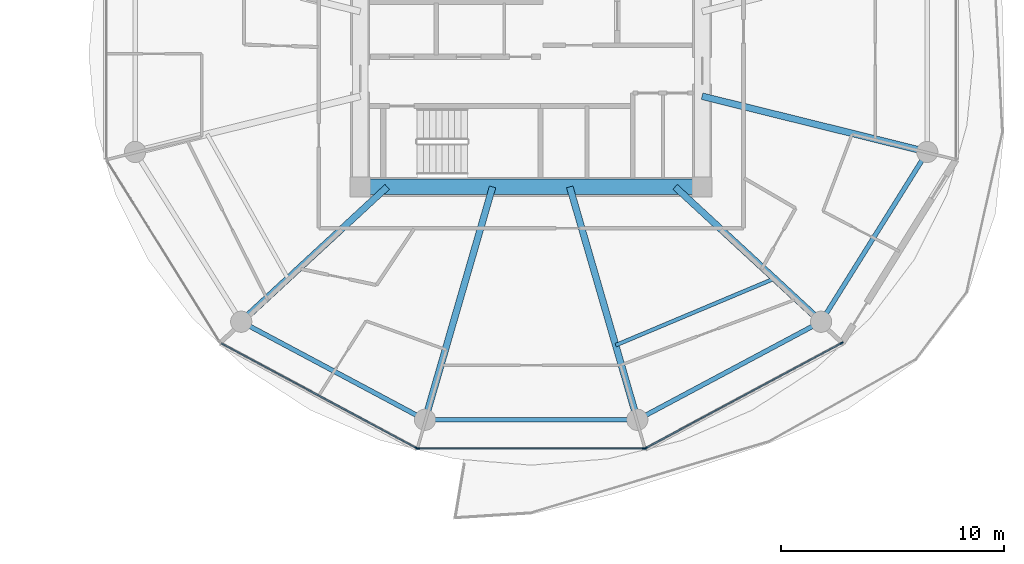
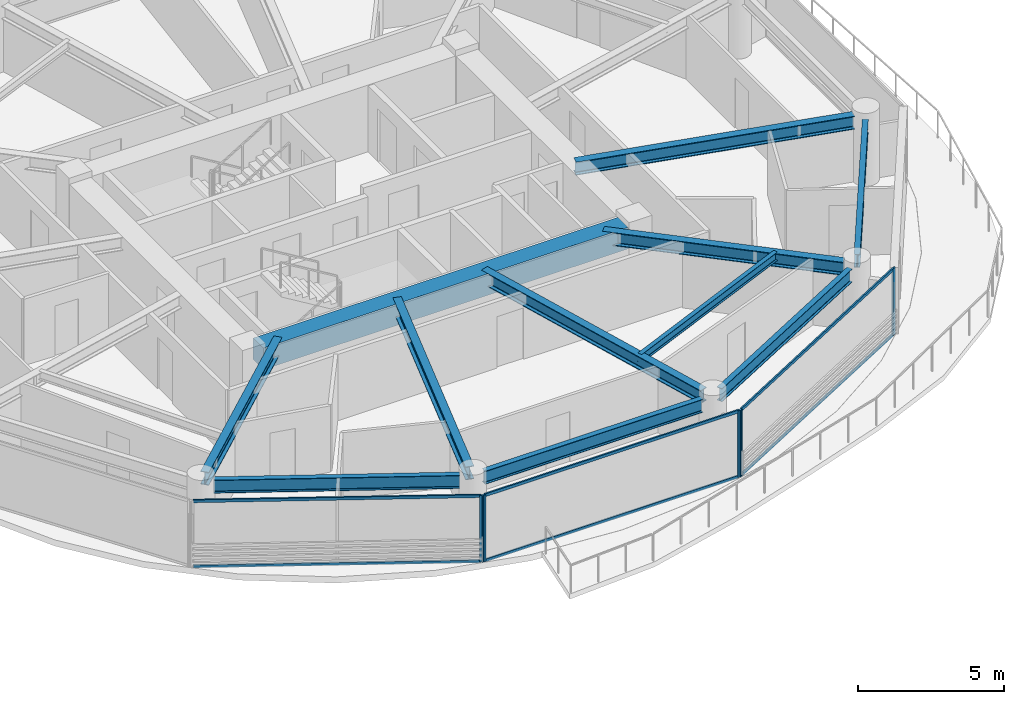
# One storey, part 10 of 27: 11 beams, 11 members, 3 elements without a shape of their own.
"""IFC4 building model written with IfcOpenShell, lengths in metres."""

from ifc_helpers import new_model, si_unit, direction, frame, origin, origin_2d, place, context, subcontext, project, spatial, rectangle, i_section, extrude, source, transform, mapped, material, layer, layer_set, material_profile, profile_set, type_object, type_shapes, element, aggregate, save


model = new_model("IFC4")

# Units and contexts
model_context = context("Model", 3, precision=1e-05, world=origin(), true_north=direction((0.0, 1.0)))
body_context = subcontext(model_context, "Body", "Model", "MODEL_VIEW")
ifc_project = project(units=[si_unit("LENGTHUNIT", "METRE"), si_unit("AREAUNIT", "SQUARE_METRE"), si_unit("VOLUMEUNIT", "CUBIC_METRE"), si_unit("PLANEANGLEUNIT", "RADIAN"), si_unit("MASSUNIT", "GRAM", prefix="KILO")], contexts=[model_context])

# Site, building, storey
site_placement = place(None, origin())
site = spatial("IfcSite", under=ifc_project, at=site_placement, CompositionType="ELEMENT")
building_placement = place(site_placement, origin())
building = spatial("IfcBuilding", under=site, at=building_placement, Name="Norrkilde Senior Care Towers", CompositionType="ELEMENT")
storey_placement = place(building_placement, frame((0.0, 0.0, 33.800048828125)))
storey = spatial("IfcBuildingStorey", under=building, at=storey_placement, Name="L09", CompositionType="ELEMENT", Elevation=33.800048828125)

# Beams
ifc_material_1 = material(Name="Concrete C60/75", Category="concrete")
ifc_material_profile_1 = material_profile(ifc_material_1, rectangle(XDim=0.699951171875, YDim=0.89990234375, at=origin_2d()), Name="RC BM 700x900")
ifc_profile_set_1 = profile_set([ifc_material_profile_1], Name="Concrete C60/75")
beam_type_1 = type_object("IfcBeamType", Name="Core Coupling Girder 700x900", PredefinedType="USERDEFINED", material=ifc_profile_set_1)
shared_shape_1 = source(origin(), body_context, "Body", "SweptSolid", [
    extrude(rectangle(XDim=0.699951171875, YDim=0.89990234375, at=origin_2d()), origin(), (0.0, 0.0, 1.0), 14.43994140625),
])
type_shapes(beam_type_1, [shared_shape_1])
beam_1_placement = place(storey_placement, frame((20.780029296875, -5.949951171875, 2.33984375), z_axis=(1.0, 0.0, 0.0), x_axis=(0.0, 1.0, 0.0)))
element("IfcBeam", 1, at=beam_1_placement, inside=storey, type_object=beam_type_1, Name="L09 Core E S Coupling Girder", ObjectType="GIRDER", PredefinedType="USERDEFINED", context=body_context, shape_type="MappedRepresentation", body=[
    mapped(shared_shape_1, transform((0.0, 0.0, 0.0), x_axis=(1.0, 0.0, 0.0), y_axis=(0.0, 1.0, 0.0), z_axis=(0.0, 0.0, 1.0), scale=1.0)),
])
ifc_material_2 = material(Name="Steel S355", Category="steel")
ifc_material_profile_2 = material_profile(ifc_material_2, i_section(OverallWidth=0.2099609375, OverallDepth=0.550048828125, WebThickness=0.010986328125, FlangeThickness=0.01708984375, FilletRadius=0.02392578125, at=origin_2d()), Name="IPE 550")
ifc_profile_set_2 = profile_set([ifc_material_profile_2], Name="Steel S355")
beam_type_2 = type_object("IfcBeamType", Name="Perimeter Ring Spandrel Z1 IPE550", PredefinedType="SPANDREL", material=ifc_profile_set_2)
shared_shape_2 = source(origin(), body_context, "Body", "SweptSolid", [
    extrude(i_section(OverallWidth=0.2099609375, OverallDepth=0.550048828125, WebThickness=0.010986328125, FlangeThickness=0.01708984375, FilletRadius=0.02392578125, at=origin_2d()), origin(), (0.0, 0.0, 1.0), 8.090576171875),
])
beam_2_placement = place(storey_placement, frame((41.2060546875, -11.61669921875, 2.514892578125), z_axis=(0.530004364821, 0.84799491347, 0.0), x_axis=(-0.84799491347, 0.530004364821, 0.0)))
element("IfcBeam", 2, at=beam_2_placement, inside=storey, type_object=beam_type_2, Name="L09 Drum E Perimeter Spandrel 11", PredefinedType="SPANDREL", context=body_context, shape_type="MappedRepresentation", body=[
    mapped(shared_shape_2, transform((0.0, 0.0, 0.0), x_axis=(1.0, 0.0, 0.0), y_axis=(0.0, 1.0, 0.0), z_axis=(0.0, 0.0, 1.0), scale=1.0)),
])
ifc_material_profile_3 = material_profile(ifc_material_2, i_section(OverallWidth=0.300048828125, OverallDepth=0.550048828125, WebThickness=0.014892578125, FlangeThickness=0.029052734375, FilletRadius=0.027099609375, at=origin_2d()), Name="HEB 550")
ifc_profile_set_3 = profile_set([ifc_material_profile_3], Name="Steel S355")
beam_type_3 = type_object("IfcBeamType", Name="Radial Floor Beam Z1 HEB550", PredefinedType="BEAM", material=ifc_profile_set_3)
shared_shape_3 = source(origin(), body_context, "Body", "SweptSolid", [
    extrude(i_section(OverallWidth=0.300048828125, OverallDepth=0.550048828125, WebThickness=0.014892578125, FlangeThickness=0.029052734375, FilletRadius=0.027099609375, at=origin_2d()), origin(), (0.0, 0.0, 1.0), 9.94384765625),
])
beam_3_placement = place(storey_placement, frame((35.64990234375, -1.893310546875, 2.514892578125), z_axis=(0.970707425182, -0.240264634718, 0.0), x_axis=(0.240264634718, 0.970707425182, 0.0)))
element("IfcBeam", 3, at=beam_3_placement, inside=storey, type_object=beam_type_3, Name="L09 Drum E Radial Floor Beam 12", PredefinedType="BEAM", context=body_context, shape_type="MappedRepresentation", body=[
    mapped(shared_shape_3, transform((0.0, 0.0, 0.0), x_axis=(1.0, 0.0, 0.0), y_axis=(0.0, 1.0, 0.0), z_axis=(0.0, 0.0, 1.0), scale=1.0)),
])
shared_shape_4 = source(origin(), body_context, "Body", "SweptSolid", [
    extrude(i_section(OverallWidth=0.2099609375, OverallDepth=0.550048828125, WebThickness=0.010986328125, FlangeThickness=0.01708984375, FilletRadius=0.02392578125, at=origin_2d()), origin(), (0.0, 0.0, 1.0), 8.452880859375),
])
for number, where, z_axis, x_axis, name in (
    (4, (15.408447265625, -12.190185546875, 2.514892578125), (0.882368931134, -0.470558252898, 0.0), (0.470558252898, 0.882368931134, 0.0), "L09 Drum E Perimeter Spandrel 08"),
    (5, (33.133056640625, -16.167724609375, 2.514892578125), (0.882368931134, 0.470558252898, 0.0), (-0.470558252898, 0.882368931134, 0.0), "L09 Drum E Perimeter Spandrel 10"),
):
    element("IfcBeam", number, at=place(storey_placement, frame(where, z_axis=z_axis, x_axis=x_axis)), inside=storey, type_object=beam_type_2, Name=name, PredefinedType="SPANDREL", context=body_context, shape_type="MappedRepresentation", body=[
        mapped(shared_shape_4, transform((0.0, 0.0, 0.0), x_axis=(1.0, 0.0, 0.0), y_axis=(0.0, 1.0, 0.0), z_axis=(0.0, 0.0, 1.0), scale=1.0)),
    ])
shared_shape_5 = source(origin(), body_context, "Body", "SweptSolid", [
    extrude(i_section(OverallWidth=0.300048828125, OverallDepth=0.550048828125, WebThickness=0.014892578125, FlangeThickness=0.029052734375, FilletRadius=0.027099609375, at=origin_2d()), origin(), (0.0, 0.0, 1.0), 8.459716796875),
])
for number, where, z_axis, x_axis, name in (
    (6, (21.55859375, -5.949951171875, 2.514892578125), (-0.734573269108, -0.678529374686, 0.0), (0.678529374686, -0.734573269108, 0.0), "L09 Drum E Radial Floor Beam 08"),
    (7, (34.44140625, -5.949951171875, 2.514892578125), (0.734573269108, -0.678529374686, 0.0), (0.678529374686, 0.734573269108, 0.0), "L09 Drum E Radial Floor Beam 11"),
):
    element("IfcBeam", number, at=place(storey_placement, frame(where, z_axis=z_axis, x_axis=x_axis)), inside=storey, type_object=beam_type_3, Name=name, PredefinedType="BEAM", context=body_context, shape_type="MappedRepresentation", body=[
        mapped(shared_shape_5, transform((0.0, 0.0, 0.0), x_axis=(1.0, 0.0, 0.0), y_axis=(0.0, 1.0, 0.0), z_axis=(0.0, 0.0, 1.0), scale=1.0)),
    ])
shared_shape_6 = source(origin(), body_context, "Body", "SweptSolid", [
    extrude(i_section(OverallWidth=0.2099609375, OverallDepth=0.550048828125, WebThickness=0.010986328125, FlangeThickness=0.01708984375, FilletRadius=0.02392578125, at=origin_2d()), origin(), (0.0, 0.0, 1.0), 8.62841796875),
])
type_shapes(beam_type_2, [shared_shape_2, shared_shape_4, shared_shape_6])
beam_4_placement = place(storey_placement, frame((23.685791015625, -16.37255859375, 2.514892578125), z_axis=(1.0, 0.0, 0.0), x_axis=(0.0, 1.0, 0.0)))
element("IfcBeam", 8, at=beam_4_placement, inside=storey, type_object=beam_type_2, Name="L09 Drum E Perimeter Spandrel 09", PredefinedType="SPANDREL", context=body_context, shape_type="MappedRepresentation", body=[
    mapped(shared_shape_6, transform((0.0, 0.0, 0.0), x_axis=(1.0, 0.0, 0.0), y_axis=(0.0, 1.0, 0.0), z_axis=(0.0, 0.0, 1.0), scale=1.0)),
])
shared_shape_7 = source(origin(), body_context, "Body", "SweptSolid", [
    extrude(i_section(OverallWidth=0.300048828125, OverallDepth=0.550048828125, WebThickness=0.014892578125, FlangeThickness=0.029052734375, FilletRadius=0.027099609375, at=origin_2d()), origin(), (0.0, 0.0, 1.0), 10.4169921875),
])
type_shapes(beam_type_3, [shared_shape_3, shared_shape_5, shared_shape_7])
for number, where, z_axis, x_axis, name in (
    (9, (26.27392578125, -5.949951171875, 2.514892578125), (-0.278591250785, -0.960409764104, 0.0), (0.960409764104, -0.278591250785, 0.0), "L09 Drum E Radial Floor Beam 09"),
    (10, (29.72607421875, -5.949951171875, 2.514892578125), (0.278591250785, -0.960409764104, 0.0), (0.960409764104, 0.278591250785, 0.0), "L09 Drum E Radial Floor Beam 10"),
):
    element("IfcBeam", number, at=place(storey_placement, frame(where, z_axis=z_axis, x_axis=x_axis)), inside=storey, type_object=beam_type_3, Name=name, PredefinedType="BEAM", context=body_context, shape_type="MappedRepresentation", body=[
        mapped(shared_shape_7, transform((0.0, 0.0, 0.0), x_axis=(1.0, 0.0, 0.0), y_axis=(0.0, 1.0, 0.0), z_axis=(0.0, 0.0, 1.0), scale=1.0)),
    ])
ifc_material_profile_4 = material_profile(ifc_material_2, i_section(OverallWidth=0.169921875, OverallDepth=0.360107421875, WebThickness=0.008056640625, FlangeThickness=0.0126953125, FilletRadius=0.01806640625, at=origin_2d()), Name="IPE 360")
ifc_profile_set_4 = profile_set([ifc_material_profile_4], Name="Steel S355")
beam_type_4 = type_object("IfcBeamType", Name="Secondary Floor Joist IPE360", PredefinedType="JOIST", material=ifc_profile_set_4)
shared_shape_8 = source(origin(), body_context, "Body", "SweptSolid", [
    extrude(i_section(OverallWidth=0.169921875, OverallDepth=0.360107421875, WebThickness=0.008056640625, FlangeThickness=0.0126953125, FilletRadius=0.01806640625, at=origin_2d()), origin(), (0.0, 0.0, 1.0), 7.703857421875),
])
type_shapes(beam_type_4, [shared_shape_8])
beam_5_placement = place(storey_placement, frame((31.78173828125, -13.037353515625, 2.60986328125), z_axis=(0.921982784465, 0.387230868023, 0.0), x_axis=(-0.387230868023, 0.921982784465, 0.0)))
element("IfcBeam", 11, at=beam_5_placement, inside=storey, type_object=beam_type_4, Name="L09 Drum E Secondary Floor Joist 4", PredefinedType="JOIST", context=body_context, shape_type="MappedRepresentation", body=[
    mapped(shared_shape_8, transform((0.0, 0.0, 0.0), x_axis=(1.0, 0.0, 0.0), y_axis=(0.0, 1.0, 0.0), z_axis=(0.0, 0.0, 1.0), scale=1.0)),
])

# Curtain wall, member
ifc_material_3 = material(Name="Triple Low-E Insulated Glazing", Category="glass")
ifc_layer = layer(ifc_material_3, 0.199951171875)
ifc_layer_set = layer_set([ifc_layer], Name="Triple Low-E Insulated Glazing")
curtain_wall_type = type_object("IfcCurtainWallType", Name="CW2 Zone 1 Memory Care Curtain Wall", PredefinedType="NOTDEFINED", material=ifc_layer_set)
curtain_wall_1_placement = place(storey_placement, origin())
curtain_wall_1 = element("IfcCurtainWall", 12, at=curtain_wall_1_placement, inside=storey, type_object=curtain_wall_type, Name="L09 Drum E Curtain Wall 07", PredefinedType="NOTDEFINED")
ifc_material_4 = material(Name="Anodised Aluminium", Category="aluminium")
ifc_material_profile_5 = material_profile(ifc_material_4, rectangle(XDim=0.06494140625, YDim=0.159912109375, at=origin_2d()), Name="ALU MULL 65x160")
ifc_profile_set_5 = profile_set([ifc_material_profile_5], Name="Anodised Aluminium")
member_type_1 = type_object("IfcMemberType", Name="Curtain Wall Mullion Z1-Z2 65x160", PredefinedType="MULLION", material=ifc_profile_set_5)
shared_shape_9 = source(origin(), body_context, "Body", "SweptSolid", [
    extrude(rectangle(XDim=0.06494140625, YDim=0.159912109375, at=origin_2d()), origin(), (0.0, 0.0, 1.0), 2.7900390625),
])
type_shapes(member_type_1, [shared_shape_9])
member_1_placement = place(storey_placement, frame((22.877685546875, -17.641845703125, 0.0), z_axis=(0.0, 0.0, 1.0), x_axis=(-0.472607802456, -0.881272866403, 0.0)))
member_1 = element("IfcMember", 13, at=member_1_placement, type_object=member_type_1, Name="CW-2 mullion 1", PredefinedType="MULLION", context=body_context, shape_type="MappedRepresentation", body=[
    mapped(shared_shape_9, transform((0.0, 0.0, 0.0), x_axis=(1.0, 0.0, 0.0), y_axis=(0.0, 1.0, 0.0), z_axis=(0.0, 0.0, 1.0), scale=1.0)),
])

# Curtain wall, members
curtain_wall_2_placement = place(storey_placement, origin())
curtain_wall_2 = element("IfcCurtainWall", 14, at=curtain_wall_2_placement, inside=storey, type_object=curtain_wall_type, Name="L09 Drum E Curtain Wall 08", PredefinedType="NOTDEFINED")
member_2_placement = place(storey_placement, frame((33.06103515625, -17.6572265625, 0.0), z_axis=(0.0, 0.0, 1.0), x_axis=(0.0, -1.0, 0.0)))
member_2 = element("IfcMember", 15, at=member_2_placement, type_object=member_type_1, Name="CW-2 mullion 1", PredefinedType="MULLION", context=body_context, shape_type="MappedRepresentation", body=[
    mapped(shared_shape_9, transform((0.0, 0.0, 0.0), x_axis=(1.0, 0.0, 0.0), y_axis=(0.0, 1.0, 0.0), z_axis=(0.0, 0.0, 1.0), scale=1.0)),
])
member_3_placement = place(storey_placement, frame((22.93896484375, -17.6572265625, 0.0), z_axis=(0.0, 0.0, 1.0), x_axis=(0.0, -1.0, 0.0)))
member_3 = element("IfcMember", 16, at=member_3_placement, type_object=member_type_1, Name="CW-2 mullion 2", PredefinedType="MULLION", context=body_context, shape_type="MappedRepresentation", body=[
    mapped(shared_shape_9, transform((0.0, 0.0, 0.0), x_axis=(1.0, 0.0, 0.0), y_axis=(0.0, 1.0, 0.0), z_axis=(0.0, 0.0, 1.0), scale=1.0)),
])

curtain_wall_3_placement = place(storey_placement, origin())
curtain_wall_3 = element("IfcCurtainWall", 17, at=curtain_wall_3_placement, inside=storey, type_object=curtain_wall_type, Name="L09 Drum E Curtain Wall 09", PredefinedType="NOTDEFINED")
member_4_placement = place(storey_placement, frame((41.88720703125, -12.941162109375, 0.0), z_axis=(0.0, 0.0, 1.0), x_axis=(0.472607802456, -0.881272866403, 0.0)))
member_4 = element("IfcMember", 18, at=member_4_placement, type_object=member_type_1, Name="CW-2 mullion 1", PredefinedType="MULLION", context=body_context, shape_type="MappedRepresentation", body=[
    mapped(shared_shape_9, transform((0.0, 0.0, 0.0), x_axis=(1.0, 0.0, 0.0), y_axis=(0.0, 1.0, 0.0), z_axis=(0.0, 0.0, 1.0), scale=1.0)),
])
member_5_placement = place(storey_placement, frame((33.122314453125, -17.641845703125, 0.0), z_axis=(0.0, 0.0, 1.0), x_axis=(0.472607802456, -0.881272866403, 0.0)))
member_5 = element("IfcMember", 19, at=member_5_placement, type_object=member_type_1, Name="CW-2 mullion 2", PredefinedType="MULLION", context=body_context, shape_type="MappedRepresentation", body=[
    mapped(shared_shape_9, transform((0.0, 0.0, 0.0), x_axis=(1.0, 0.0, 0.0), y_axis=(0.0, 1.0, 0.0), z_axis=(0.0, 0.0, 1.0), scale=1.0)),
])

# Member
ifc_material_profile_6 = material_profile(ifc_material_4, rectangle(XDim=0.06005859375, YDim=0.1201171875, at=origin_2d()), Name="ALU TRAN 60x120")
ifc_profile_set_6 = profile_set([ifc_material_profile_6], Name="Anodised Aluminium")
member_type_2 = type_object("IfcMemberType", Name="Curtain Wall Transom Typical 60x120", PredefinedType="USERDEFINED", material=ifc_profile_set_6)
shared_shape_10 = source(origin(), body_context, "Body", "SweptSolid", [
    extrude(rectangle(XDim=0.06005859375, YDim=0.1201171875, at=origin_2d()), origin(), (0.0, 0.0, 1.0), 9.880859375),
])
member_6_placement = place(storey_placement, frame((22.84912109375, -17.62646484375, 0.030029296875), z_axis=(-0.881267204043, 0.47261836092, 0.0), x_axis=(-0.47261836092, -0.881267204043, 0.0)))
member_6 = element("IfcMember", 20, at=member_6_placement, type_object=member_type_2, Name="CW-2 transom 1.1", ObjectType="TRANSOM", PredefinedType="USERDEFINED", context=body_context, shape_type="MappedRepresentation", body=[
    mapped(shared_shape_10, transform((0.0, 0.0, 0.0), x_axis=(1.0, 0.0, 0.0), y_axis=(0.0, 1.0, 0.0), z_axis=(0.0, 0.0, 1.0), scale=1.0)),
])

member_7_placement = place(storey_placement, frame((22.84912109375, -17.62646484375, 2.760009765625), z_axis=(-0.881267204043, 0.47261836092, 0.0), x_axis=(-0.47261836092, -0.881267204043, 0.0)))
member_7 = element("IfcMember", 21, at=member_7_placement, type_object=member_type_2, Name="CW-2 transom 1.2", ObjectType="TRANSOM", PredefinedType="USERDEFINED", context=body_context, shape_type="MappedRepresentation", body=[
    mapped(shared_shape_10, transform((0.0, 0.0, 0.0), x_axis=(1.0, 0.0, 0.0), y_axis=(0.0, 1.0, 0.0), z_axis=(0.0, 0.0, 1.0), scale=1.0)),
])

aggregate(curtain_wall_1, [member_1, member_6, member_7])

member_8_placement = place(storey_placement, frame((41.858642578125, -12.95654296875, 0.030029296875), z_axis=(-0.881267204043, -0.47261836092, 0.0), x_axis=(0.47261836092, -0.881267204043, 0.0)))
member_8 = element("IfcMember", 22, at=member_8_placement, type_object=member_type_2, Name="CW-2 transom 1.1", ObjectType="TRANSOM", PredefinedType="USERDEFINED", context=body_context, shape_type="MappedRepresentation", body=[
    mapped(shared_shape_10, transform((0.0, 0.0, 0.0), x_axis=(1.0, 0.0, 0.0), y_axis=(0.0, 1.0, 0.0), z_axis=(0.0, 0.0, 1.0), scale=1.0)),
])

member_9_placement = place(storey_placement, frame((41.858642578125, -12.95654296875, 2.760009765625), z_axis=(-0.881267204043, -0.47261836092, 0.0), x_axis=(0.47261836092, -0.881267204043, 0.0)))
member_9 = element("IfcMember", 23, at=member_9_placement, type_object=member_type_2, Name="CW-2 transom 1.2", ObjectType="TRANSOM", PredefinedType="USERDEFINED", context=body_context, shape_type="MappedRepresentation", body=[
    mapped(shared_shape_10, transform((0.0, 0.0, 0.0), x_axis=(1.0, 0.0, 0.0), y_axis=(0.0, 1.0, 0.0), z_axis=(0.0, 0.0, 1.0), scale=1.0)),
])

aggregate(curtain_wall_3, [member_4, member_5, member_8, member_9])

shared_shape_11 = source(origin(), body_context, "Body", "SweptSolid", [
    extrude(rectangle(XDim=0.06005859375, YDim=0.1201171875, at=origin_2d()), origin(), (0.0, 0.0, 1.0), 10.05712890625),
])
type_shapes(member_type_2, [shared_shape_10, shared_shape_11])
member_10_placement = place(storey_placement, frame((33.028564453125, -17.6572265625, 0.030029296875), z_axis=(-1.0, 0.0, 0.0), x_axis=(0.0, -1.0, 0.0)))
member_10 = element("IfcMember", 24, at=member_10_placement, type_object=member_type_2, Name="CW-2 transom 1.1", ObjectType="TRANSOM", PredefinedType="USERDEFINED", context=body_context, shape_type="MappedRepresentation", body=[
    mapped(shared_shape_11, transform((0.0, 0.0, 0.0), x_axis=(1.0, 0.0, 0.0), y_axis=(0.0, 1.0, 0.0), z_axis=(0.0, 0.0, 1.0), scale=1.0)),
])

member_11_placement = place(storey_placement, frame((33.028564453125, -17.6572265625, 2.760009765625), z_axis=(-1.0, 0.0, 0.0), x_axis=(0.0, -1.0, 0.0)))
member_11 = element("IfcMember", 25, at=member_11_placement, type_object=member_type_2, Name="CW-2 transom 1.2", ObjectType="TRANSOM", PredefinedType="USERDEFINED", context=body_context, shape_type="MappedRepresentation", body=[
    mapped(shared_shape_11, transform((0.0, 0.0, 0.0), x_axis=(1.0, 0.0, 0.0), y_axis=(0.0, 1.0, 0.0), z_axis=(0.0, 0.0, 1.0), scale=1.0)),
])

aggregate(curtain_wall_2, [member_2, member_3, member_10, member_11])

save(model, "model.ifc")
